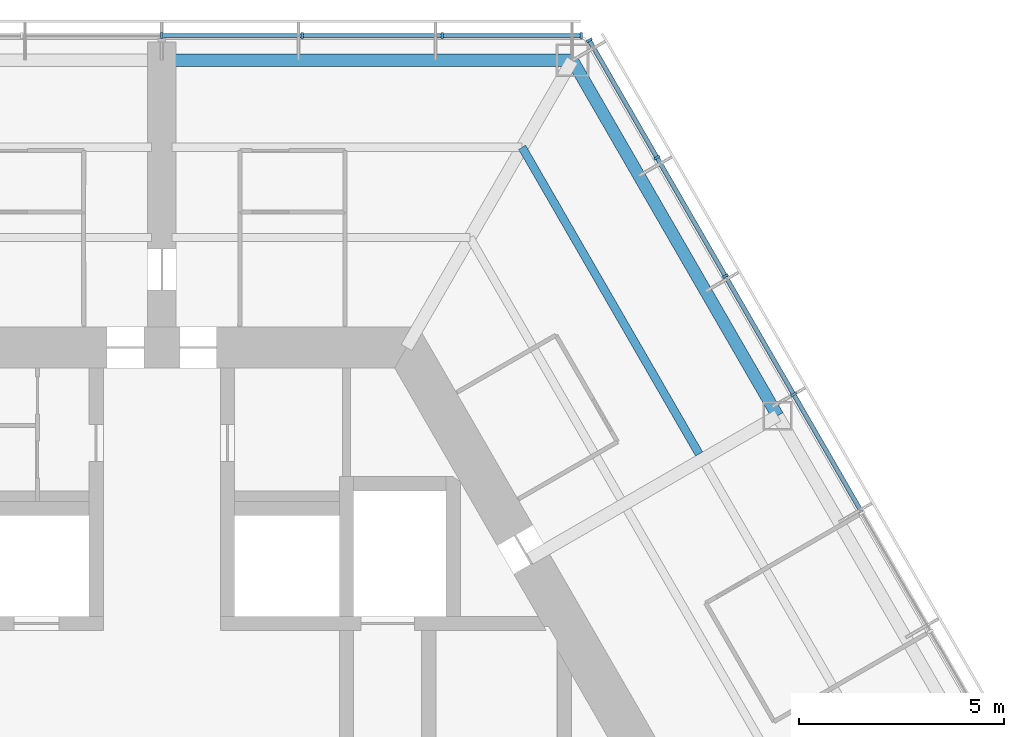
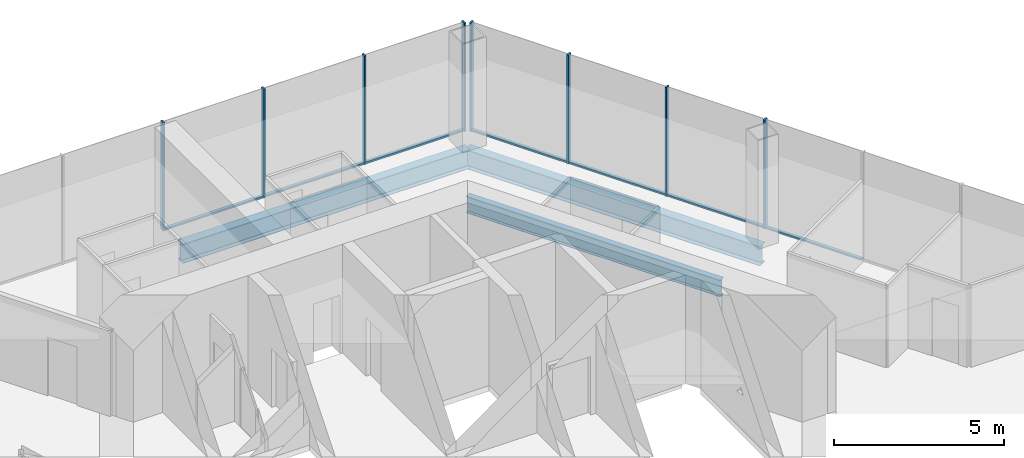
# One storey, part 8 of 18: 15 members, 3 beams, 2 elements without a shape of their own.
"""IFC4 building model written with IfcOpenShell, lengths in metres."""

import ifcopenshell
import ifcopenshell.guid

model = None  # the IFC model being written
_history = None  # IfcOwnerHistory: only IFC2X3 demands one
_inside = {}  # id of a spatial element -> (the spatial element, [elements in it])
_under = {}  # id of a project, library or spatial element -> (it, [spatial elements below it])
_declared = {}  # id of a project -> (the project, [libraries it declares])
_typed = {}  # id of a type object -> (the type object, [elements of that type])
_made_of = {}  # id of a material, layer set ... -> (it, [elements and type objects made of it])


def new_model(schema):
    """Start an empty IFC model of exactly this schema.

    Asked for "IFC4X3", IfcOpenShell would pick the latest addendum, in which some entities
    have other attributes; the version numbers below select the first issue.
    IFC2X3 requires an IfcOwnerHistory on every rooted entity: one is made here for all.
    """
    global model, _history
    if schema == "IFC4X3":
        model = ifcopenshell.file(schema_version=(4, 3, 0, 0))
    else:
        model = ifcopenshell.file(schema=schema)
    _inside.clear()
    _under.clear()
    _declared.clear()
    _typed.clear()
    _made_of.clear()
    _history = None
    if model.schema == "IFC2X3":
        org = make("IfcOrganization", Name="unknown")
        user = make(
            "IfcPersonAndOrganization",
            ThePerson=make("IfcPerson", FamilyName="unknown"),
            TheOrganization=org,
        )
        app = make(
            "IfcApplication",
            ApplicationDeveloper=org,
            Version="unknown",
            ApplicationFullName="unknown",
            ApplicationIdentifier="unknown",
        )
        _history = make(
            "IfcOwnerHistory",
            OwningUser=user,
            OwningApplication=app,
            ChangeAction="ADDED",
            CreationDate=0,
        )
    return model


def make(cls, **values):
    """One entity of the class cls with the attributes given. An attribute that is None is left unset."""
    return model.create_entity(
        cls, **{name: value for name, value in values.items() if value is not None}
    )


def rooted(cls, **values):
    """An entity with a GlobalId (a new one), such as an element, a storey or a relation."""
    return make(cls, GlobalId=ifcopenshell.guid.new(), OwnerHistory=_history, **values)


def si_unit(unit_type, name, prefix=None):
    """IfcSIUnit, for example si_unit("LENGTHUNIT", "METRE", prefix="MILLI")."""
    return make("IfcSIUnit", UnitType=unit_type, Prefix=prefix, Name=name)


def assignment(units):
    """IfcUnitAssignment: the units of a project."""
    return None if units is None else make("IfcUnitAssignment", Units=units)


def point(xyz):
    """IfcCartesianPoint."""
    return None if xyz is None else make("IfcCartesianPoint", Coordinates=xyz)


def direction(xyz):
    """IfcDirection."""
    return None if xyz is None else make("IfcDirection", DirectionRatios=xyz)


def frame(location, z_axis=None, x_axis=None):
    """IfcAxis2Placement3D, a coordinate frame: its origin and axes. An axis left out is left unset."""
    return make(
        "IfcAxis2Placement3D",
        Location=point(location),
        Axis=direction(z_axis),
        RefDirection=direction(x_axis),
    )


def frame_2d(location, x_axis=None):
    """IfcAxis2Placement2D, a coordinate frame in the plane: its origin and x axis."""
    return make(
        "IfcAxis2Placement2D", Location=point(location), RefDirection=direction(x_axis)
    )


def origin():
    """The frame at (0, 0, 0) with its axes left unset."""
    return frame((0.0, 0.0, 0.0))


def origin_2d():
    """The frame at (0, 0) in the plane with its x axis left unset."""
    return frame_2d((0.0, 0.0))


def place(relative_to, where):
    """IfcLocalPlacement: puts the frame where relative to a parent placement (None: the world)."""
    return make(
        "IfcLocalPlacement", PlacementRelTo=relative_to, RelativePlacement=where
    )


def context(
    kind, dimensions, precision=None, world=None, true_north=None, identifier=None
):
    """IfcGeometricRepresentationContext, for example the 3D "Model" context."""
    return make(
        "IfcGeometricRepresentationContext",
        ContextIdentifier=identifier,
        ContextType=kind,
        CoordinateSpaceDimension=dimensions,
        Precision=precision,
        WorldCoordinateSystem=world,
        TrueNorth=true_north,
    )


def subcontext(parent, identifier, kind, view, scale=None):
    """IfcGeometricRepresentationSubContext, for example "Body" below "Model"."""
    return make(
        "IfcGeometricRepresentationSubContext",
        ContextIdentifier=identifier,
        ContextType=kind,
        ParentContext=parent,
        TargetScale=scale,
        TargetView=view,
    )


def project(units=None, contexts=None):
    """IfcProject with its units and contexts."""
    return rooted(
        "IfcProject",
        Name="project",
        RepresentationContexts=contexts,
        UnitsInContext=assignment(units),
    )


def spatial(cls, under=None, at=None, **own):
    """A site, building, storey or space (cls), placed at a placement, below another one or the project."""
    s = rooted(cls, ObjectPlacement=at, **own)
    if under is not None:
        _under.setdefault(under.id(), (under, []))[1].append(s)
    return s


def profile(cls, at=None, kind="AREA", **sizes):
    """A parametric profile (cls). Its sizes go by their IFC names, for example OverallWidth=200.0."""
    return make(cls, ProfileType=kind, Position=at, **sizes)


def rectangle(**sizes):
    """IfcRectangleProfileDef."""
    return profile("IfcRectangleProfileDef", **sizes)


def i_section(**sizes):
    """IfcIShapeProfileDef."""
    return profile("IfcIShapeProfileDef", **sizes)


def extrude(swept, where, along, depth):
    """IfcExtrudedAreaSolid: the profile swept, set in the frame where, extruded along a direction by depth."""
    return make(
        "IfcExtrudedAreaSolid",
        SweptArea=swept,
        Position=where,
        ExtrudedDirection=direction(along),
        Depth=depth,
    )


def shape(context_of_items, identifier, shape_type, items):
    """IfcShapeRepresentation: the items that make up one representation, for example the "Body"."""
    return make(
        "IfcShapeRepresentation",
        ContextOfItems=context_of_items,
        RepresentationIdentifier=identifier,
        RepresentationType=shape_type,
        Items=items,
    )


def material(Name=None, Category=None):
    """IfcMaterial."""
    return make("IfcMaterial", Name=Name, Category=Category)


def material_profile(
    of_material, cross_section, Name=None, Category=None, Priority=None
):
    """IfcMaterialProfile: a cross section and its material."""
    return make(
        "IfcMaterialProfile",
        Name=Name,
        Material=of_material,
        Profile=cross_section,
        Priority=Priority,
        Category=Category,
    )


def profile_set(profiles, Name=None, composite=None):
    """IfcMaterialProfileSet."""
    return make(
        "IfcMaterialProfileSet",
        Name=Name,
        MaterialProfiles=profiles,
        CompositeProfile=composite,
    )


def made_of(thing, what):
    """Note that an element or type object is made of a material, layer set ...; save() writes the relation."""
    if what is not None:
        _made_of.setdefault(what.id(), (what, []))[1].append(thing)
    return thing


def type_object(cls, material=None, **own):
    """A type object (cls), such as IfcWallType, which elements share."""
    return made_of(rooted(cls, **own), material)


def element(
    cls,
    number,
    at=None,
    inside=None,
    cuts=None,
    type_object=None,
    material=None,
    context=None,
    identifier="Body",
    shape_type=None,
    held_by="IfcProductDefinitionShape",
    body=None,
    shapes=None,
    **own,
):
    """One element of the class cls, such as IfcWall. Its Tag is "e" and its number.

    at: its placement. inside: the storey or other place that contains it. cuts: it is an
    opening in that element (IfcRelVoidsElement). A single representation is given by context,
    identifier, shape_type and body (its items); several are given by shapes. held_by: the class
    of the entity that holds the representations. save() writes the other relations.
    """
    e = rooted(cls, Tag="e%d" % number, ObjectPlacement=at, **own)
    if body is not None:
        shapes = [shape(context, identifier, shape_type, body)]
    if shapes is not None:
        e.Representation = make(held_by, Representations=shapes)
    if inside is not None:
        _inside.setdefault(inside.id(), (inside, []))[1].append(e)
    if cuts is not None:
        rooted(
            "IfcRelVoidsElement", RelatingBuildingElement=cuts, RelatedOpeningElement=e
        )
    if type_object is not None:
        _typed.setdefault(type_object.id(), (type_object, []))[1].append(e)
    return made_of(e, material)


def aggregate(whole, parts):
    """IfcRelAggregates: a whole, such as a stair, and the parts it consists of."""
    return rooted("IfcRelAggregates", RelatingObject=whole, RelatedObjects=parts)


def save(model, path):
    """Write the relations noted so far, then the file.

    IfcRelAggregates (storeys below a building ...), IfcRelContainedInSpatialStructure (elements
    in a storey), IfcRelDefinesByType, IfcRelAssociatesMaterial and IfcRelDeclares: one each for
    every whole, place, type object, material and project.
    """
    for whole, parts in _under.values():
        aggregate(whole, parts)
    for where, things in _inside.values():
        rooted(
            "IfcRelContainedInSpatialStructure",
            RelatedElements=things,
            RelatingStructure=where,
        )
    for kind, things in _typed.values():
        rooted("IfcRelDefinesByType", RelatedObjects=things, RelatingType=kind)
    for what, things in _made_of.values():
        rooted("IfcRelAssociatesMaterial", RelatedObjects=things, RelatingMaterial=what)
    for by, libraries in _declared.values():
        rooted("IfcRelDeclares", RelatingContext=by, RelatedDefinitions=libraries)
    model.write(path)


model = new_model("IFC4")

# Units and contexts
model_context = context("Model", 3, precision=1e-05, world=origin(), true_north=direction((0.0, 1.0)))
body_context = subcontext(model_context, "Body", "Model", "MODEL_VIEW")
ifc_project = project(units=[si_unit("LENGTHUNIT", "METRE"), si_unit("AREAUNIT", "SQUARE_METRE"), si_unit("VOLUMEUNIT", "CUBIC_METRE"), si_unit("PLANEANGLEUNIT", "RADIAN"), si_unit("MASSUNIT", "GRAM", prefix="KILO")], contexts=[model_context])

# Site, building, storey
site_placement = place(None, origin())
site = spatial("IfcSite", under=ifc_project, at=site_placement, CompositionType="ELEMENT")
building_placement = place(site_placement, origin())
building = spatial("IfcBuilding", under=site, at=building_placement, Name="Kasaneha Research Tower", CompositionType="ELEMENT")
storey_placement = place(building_placement, frame((0.0, 0.0, 179.89990234375)))
storey = spatial("IfcBuildingStorey", under=building, at=storey_placement, Name="L45", CompositionType="ELEMENT", Elevation=179.89990234375)

# Beam
ifc_material_1 = material(Name="Steel SN490B", Category="steel")
ifc_material_profile_1 = material_profile(ifc_material_1, i_section(OverallWidth=0.199951171875, OverallDepth=0.60009765625, WebThickness=0.010986328125, FlangeThickness=0.01708984375, FilletRadius=0.012939453125, at=origin_2d()), Name="H-600x200x11x17")
ifc_profile_set_1 = profile_set([ifc_material_profile_1], Name="Steel SN490B")
beam_type_1 = type_object("IfcBeamType", Name="B1-3 secondary beam H-600x200x11x17", PredefinedType="JOIST", material=ifc_profile_set_1)
beam_1_placement = place(storey_placement, frame((8.775634765625, 15.199951171875, -0.449951171875), z_axis=(0.500017275495, -0.866015429543, 0.0), x_axis=(0.866015429543, 0.500017275495, 0.0)))
element("IfcBeam", 1, at=beam_1_placement, inside=storey, type_object=beam_type_1, Name="Secondary beam RS030R2 L45", PredefinedType="JOIST", context=body_context, shape_type="SweptSolid", body=[
    extrude(i_section(OverallWidth=0.199951171875, OverallDepth=0.60009765625, WebThickness=0.010986328125, FlangeThickness=0.01708984375, FilletRadius=0.012939453125, at=origin_2d()), origin(), (0.0, 0.0, 1.0), 8.625732421875),
])

# Curtain wall, members
ifc_material_2 = material(Name="Glass and aluminium", Category="aluminium")
curtain_wall_type = type_object("IfcCurtainWallType", Name="Mid-rise office curtain wall", PredefinedType="USERDEFINED", material=ifc_material_2)
curtain_wall_1_placement = place(storey_placement, origin())
curtain_wall_1 = element("IfcCurtainWall", 2, at=curtain_wall_1_placement, inside=storey, type_object=curtain_wall_type, Name="CW-O2 L45 run 06a", ObjectType="UNITISED CURTAIN WALL", PredefinedType="USERDEFINED")
ifc_material_3 = material(Name="Aluminium 6063-T6", Category="aluminium")
ifc_material_profile_2 = material_profile(ifc_material_3, rectangle(XDim=0.06005859375, YDim=0.14990234375, at=origin_2d()), Name="CW-O2 mullion 60x150")
ifc_profile_set_2 = profile_set([ifc_material_profile_2], Name="Aluminium 6063-T6")
member_type_1 = type_object("IfcMemberType", Name="CW-O2 mullion", PredefinedType="MULLION", material=ifc_profile_set_2)
member_1_placement = place(storey_placement, frame((15.392822265625, 9.179931640625, 0.0), z_axis=(0.0, 0.0, 1.0), x_axis=(-0.499999979232, 0.866025415775, 0.0)))
member_1 = element("IfcMember", 3, at=member_1_placement, type_object=member_type_1, Name="CW-O2 mullion 4", PredefinedType="MULLION", context=body_context, shape_type="SweptSolid", body=[
    extrude(rectangle(XDim=0.06005859375, YDim=0.14990234375, at=origin_2d()), origin(), (0.0, 0.0, 1.0), 3.900146484375),
])
member_2_placement = place(storey_placement, frame((13.727294921875, 12.064453125, 0.0), z_axis=(0.0, 0.0, 1.0), x_axis=(-0.499999979232, 0.866025415775, 0.0)))
member_2 = element("IfcMember", 4, at=member_2_placement, type_object=member_type_1, Name="CW-O2 mullion 5", PredefinedType="MULLION", context=body_context, shape_type="SweptSolid", body=[
    extrude(rectangle(XDim=0.06005859375, YDim=0.14990234375, at=origin_2d()), origin(), (0.0, 0.0, 1.0), 3.900146484375),
])
member_3_placement = place(storey_placement, frame((12.061767578125, 14.94921875, 0.0), z_axis=(0.0, 0.0, 1.0), x_axis=(-0.499999979232, 0.866025415775, 0.0)))
member_3 = element("IfcMember", 5, at=member_3_placement, type_object=member_type_1, Name="CW-O2 mullion 6", PredefinedType="MULLION", context=body_context, shape_type="SweptSolid", body=[
    extrude(rectangle(XDim=0.06005859375, YDim=0.14990234375, at=origin_2d()), origin(), (0.0, 0.0, 1.0), 3.900146484375),
])
member_4_placement = place(storey_placement, frame((10.411376953125, 17.807861328125, 0.0), z_axis=(0.0, 0.0, 1.0), x_axis=(-0.499999979232, 0.866025415775, 0.0)))
member_4 = element("IfcMember", 6, at=member_4_placement, type_object=member_type_1, Name="CW-O2 mullion 7", PredefinedType="MULLION", context=body_context, shape_type="SweptSolid", body=[
    extrude(rectangle(XDim=0.06005859375, YDim=0.14990234375, at=origin_2d()), origin(), (0.0, 0.0, 1.0), 3.900146484375),
])

curtain_wall_2_placement = place(storey_placement, origin())
curtain_wall_2 = element("IfcCurtainWall", 7, at=curtain_wall_2_placement, inside=storey, type_object=curtain_wall_type, Name="CW-O2 L45 run 07a", ObjectType="UNITISED CURTAIN WALL", PredefinedType="USERDEFINED")
member_5_placement = place(storey_placement, frame((10.21630859375, 17.92041015625, 0.0), z_axis=(0.0, 0.0, 1.0), x_axis=(-1.0, 0.0, 0.0)))
member_5 = element("IfcMember", 8, at=member_5_placement, type_object=member_type_1, Name="CW-O2 mullion 1", PredefinedType="MULLION", context=body_context, shape_type="SweptSolid", body=[
    extrude(rectangle(XDim=0.06005859375, YDim=0.14990234375, at=origin_2d()), origin(), (0.0, 0.0, 1.0), 3.900146484375),
])
member_6_placement = place(storey_placement, frame((6.8310546875, 17.92041015625, 0.0), z_axis=(0.0, 0.0, 1.0), x_axis=(-1.0, 0.0, 0.0)))
member_6 = element("IfcMember", 9, at=member_6_placement, type_object=member_type_1, Name="CW-O2 mullion 2", PredefinedType="MULLION", context=body_context, shape_type="SweptSolid", body=[
    extrude(rectangle(XDim=0.06005859375, YDim=0.14990234375, at=origin_2d()), origin(), (0.0, 0.0, 1.0), 3.900146484375),
])
member_7_placement = place(storey_placement, frame((3.41552734375, 17.92041015625, 0.0), z_axis=(0.0, 0.0, 1.0), x_axis=(-1.0, 0.0, 0.0)))
member_7 = element("IfcMember", 10, at=member_7_placement, type_object=member_type_1, Name="CW-O2 mullion 3", PredefinedType="MULLION", context=body_context, shape_type="SweptSolid", body=[
    extrude(rectangle(XDim=0.06005859375, YDim=0.14990234375, at=origin_2d()), origin(), (0.0, 0.0, 1.0), 3.900146484375),
])
member_8_placement = place(storey_placement, frame((0.0, 17.92041015625, 0.0), z_axis=(0.0, 0.0, 1.0), x_axis=(-1.0, 0.0, 0.0)))
member_8 = element("IfcMember", 11, at=member_8_placement, type_object=member_type_1, Name="CW-O2 mullion 4", PredefinedType="MULLION", context=body_context, shape_type="SweptSolid", body=[
    extrude(rectangle(XDim=0.06005859375, YDim=0.14990234375, at=origin_2d()), origin(), (0.0, 0.0, 1.0), 3.900146484375),
])

# Member
ifc_material_4 = material(Name="Aluminium 6063-T6", Category="aluminium")
ifc_material_profile_3 = material_profile(ifc_material_4, rectangle(XDim=0.110107421875, YDim=0.06005859375, at=origin_2d()), Name="CW-O2 transom 110x60")
ifc_profile_set_3 = profile_set([ifc_material_profile_3], Name="Aluminium 6063-T6")
member_type_2 = type_object("IfcMemberType", Name="CW-O2 transom", PredefinedType="USERDEFINED", material=ifc_profile_set_3)
member_9_placement = place(storey_placement, frame((17.043212890625, 6.3212890625, 0.030029296875), z_axis=(-0.50003259116, 0.866006586452, 0.0), x_axis=(-0.866006586452, -0.50003259116, 0.0)))
member_9 = element("IfcMember", 12, at=member_9_placement, type_object=member_type_2, Name="CW-O2 transom 3", ObjectType="TRANSOM", PredefinedType="USERDEFINED", context=body_context, shape_type="SweptSolid", body=[
    extrude(rectangle(XDim=0.110107421875, YDim=0.06005859375, at=origin_2d()), origin(), (0.0, 0.0, 1.0), 3.270751953125),
])

member_10_placement = place(storey_placement, frame((15.3779296875, 9.205810546875, 0.030029296875), z_axis=(-0.500000270186, 0.866025247793, 0.0), x_axis=(-0.866025247793, -0.500000270186, 0.0)))
member_10 = element("IfcMember", 13, at=member_10_placement, type_object=member_type_2, Name="CW-O2 transom 4", ObjectType="TRANSOM", PredefinedType="USERDEFINED", context=body_context, shape_type="SweptSolid", body=[
    extrude(rectangle(XDim=0.110107421875, YDim=0.06005859375, at=origin_2d()), origin(), (0.0, 0.0, 1.0), 3.27099609375),
])

member_11_placement = place(storey_placement, frame((13.71240234375, 12.090576171875, 0.030029296875), z_axis=(-0.500000270186, 0.866025247793, 0.0), x_axis=(-0.866025247793, -0.500000270186, 0.0)))
member_11 = element("IfcMember", 14, at=member_11_placement, type_object=member_type_2, Name="CW-O2 transom 5", ObjectType="TRANSOM", PredefinedType="USERDEFINED", context=body_context, shape_type="SweptSolid", body=[
    extrude(rectangle(XDim=0.110107421875, YDim=0.06005859375, at=origin_2d()), origin(), (0.0, 0.0, 1.0), 3.27099609375),
])

member_12_placement = place(storey_placement, frame((12.046875, 14.97509765625, 0.030029296875), z_axis=(-0.499955025697, 0.866051368154, 0.0), x_axis=(-0.866051368154, -0.499955025697, 0.0)))
member_12 = element("IfcMember", 15, at=member_12_placement, type_object=member_type_2, Name="CW-O2 transom 6", ObjectType="TRANSOM", PredefinedType="USERDEFINED", context=body_context, shape_type="SweptSolid", body=[
    extrude(rectangle(XDim=0.110107421875, YDim=0.06005859375, at=origin_2d()), origin(), (0.0, 0.0, 1.0), 3.240966796875),
])

aggregate(curtain_wall_1, [member_1, member_2, member_3, member_4, member_9, member_10, member_11, member_12])

member_13_placement = place(storey_placement, frame((10.1865234375, 17.92041015625, 0.030029296875), z_axis=(-1.0, 0.0, 0.0), x_axis=(0.0, -1.0, 0.0)))
member_13 = element("IfcMember", 16, at=member_13_placement, type_object=member_type_2, Name="CW-O2 transom 1", ObjectType="TRANSOM", PredefinedType="USERDEFINED", context=body_context, shape_type="SweptSolid", body=[
    extrude(rectangle(XDim=0.110107421875, YDim=0.06005859375, at=origin_2d()), origin(), (0.0, 0.0, 1.0), 3.32568359375),
])

member_14_placement = place(storey_placement, frame((6.801025390625, 17.92041015625, 0.030029296875), z_axis=(-1.0, 0.0, 0.0), x_axis=(0.0, -1.0, 0.0)))
member_14 = element("IfcMember", 17, at=member_14_placement, type_object=member_type_2, Name="CW-O2 transom 2", ObjectType="TRANSOM", PredefinedType="USERDEFINED", context=body_context, shape_type="SweptSolid", body=[
    extrude(rectangle(XDim=0.110107421875, YDim=0.06005859375, at=origin_2d()), origin(), (0.0, 0.0, 1.0), 3.35546875),
])

member_15_placement = place(storey_placement, frame((3.385498046875, 17.92041015625, 0.030029296875), z_axis=(-1.0, 0.0, 0.0), x_axis=(0.0, -1.0, 0.0)))
member_15 = element("IfcMember", 18, at=member_15_placement, type_object=member_type_2, Name="CW-O2 transom 3", ObjectType="TRANSOM", PredefinedType="USERDEFINED", context=body_context, shape_type="SweptSolid", body=[
    extrude(rectangle(XDim=0.110107421875, YDim=0.06005859375, at=origin_2d()), origin(), (0.0, 0.0, 1.0), 3.35546875),
])

aggregate(curtain_wall_2, [member_5, member_6, member_7, member_8, member_13, member_14, member_15])

# Beams
ifc_material_5 = material(Name="Steel SN490B", Category="steel")
ifc_material_profile_4 = material_profile(ifc_material_5, i_section(OverallWidth=0.300048828125, OverallDepth=0.69189453125, WebThickness=0.012939453125, FlangeThickness=0.02001953125, FilletRadius=0.01806640625, at=origin_2d()), Name="H-692x300x13x20")
ifc_profile_set_4 = profile_set([ifc_material_profile_4], Name="Steel SN490B")
beam_type_2 = type_object("IfcBeamType", Name="G3-3 plate edge girder H-692x300x13x20", PredefinedType="BEAM", material=ifc_profile_set_4)
beam_2_placement = place(storey_placement, frame((10.0, 17.320556640625, -0.495849609375), z_axis=(-1.0, 0.0, 0.0), x_axis=(0.0, -1.0, 0.0)))
element("IfcBeam", 19, at=beam_2_placement, inside=storey, type_object=beam_type_2, Name="Plate edge girder PEAP L45", PredefinedType="BEAM", context=body_context, shape_type="SweptSolid", body=[
    extrude(i_section(OverallWidth=0.300048828125, OverallDepth=0.69189453125, WebThickness=0.012939453125, FlangeThickness=0.02001953125, FilletRadius=0.01806640625, at=origin_2d()), origin(), (0.0, 0.0, 1.0), 9.75),
])
ifc_material_6 = material(Name="Steel SN490B", Category="steel")
ifc_material_profile_5 = material_profile(ifc_material_6, i_section(OverallWidth=0.300048828125, OverallDepth=0.69189453125, WebThickness=0.012939453125, FlangeThickness=0.02001953125, FilletRadius=0.01806640625, at=origin_2d()), Name="H-692x300x13x20")
ifc_profile_set_5 = profile_set([ifc_material_profile_5], Name="Steel SN490B")
beam_type_3 = type_object("IfcBeamType", Name="SB1-3 spandrel beam H-692x300x13x20", PredefinedType="SPANDREL", material=ifc_profile_set_5)
beam_3_placement = place(storey_placement, frame((10.0, 17.320556640625, -0.495849609375), z_axis=(0.499993662806, -0.866029062534, 0.0), x_axis=(0.866029062534, 0.499993662806, 0.0)))
element("IfcBeam", 20, at=beam_3_placement, inside=storey, type_object=beam_type_3, Name="Spandrel beam SR030R L45", PredefinedType="SPANDREL", context=body_context, shape_type="SweptSolid", body=[
    extrude(i_section(OverallWidth=0.300048828125, OverallDepth=0.69189453125, WebThickness=0.012939453125, FlangeThickness=0.02001953125, FilletRadius=0.01806640625, at=origin_2d()), origin(), (0.0, 0.0, 1.0), 10.000244140625),
])

save(model, "model.ifc")
